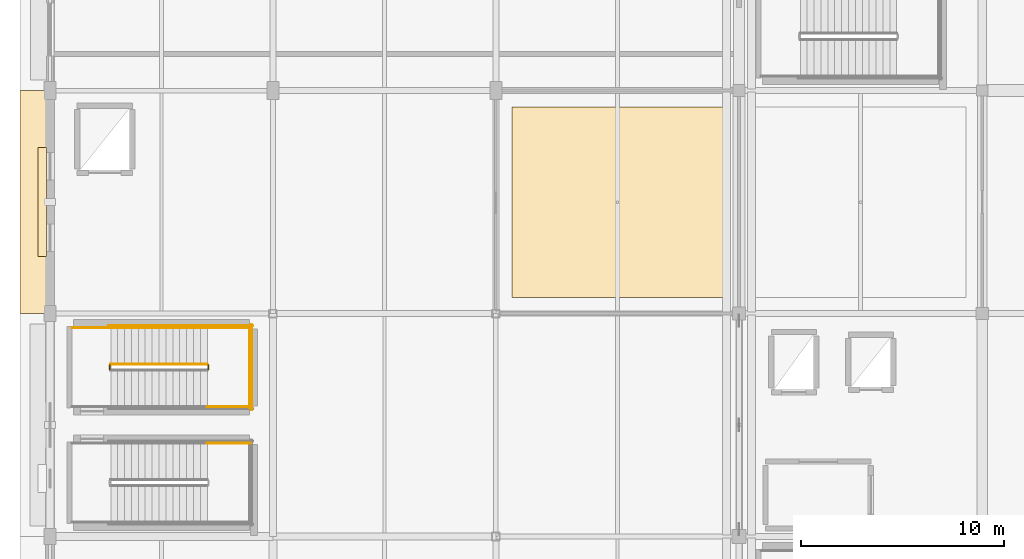
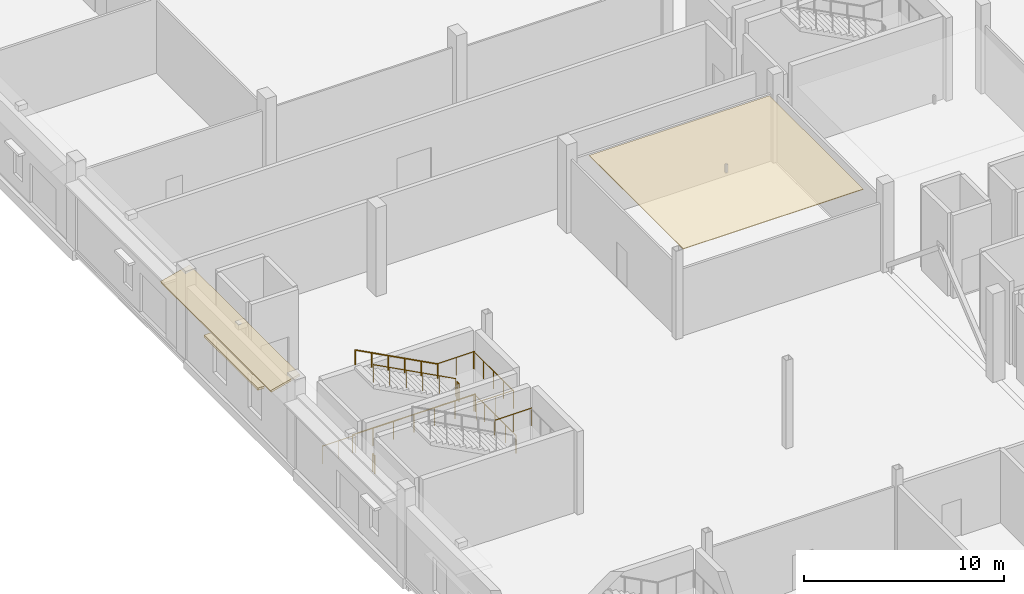
# One storey, part 98 of 120: 11 railings, 3 coverings.
"""IFC4 building model written with IfcOpenShell, lengths in metres."""

from ifc_helpers import new_model, si_unit, direction, frame, origin, origin_2d, place, context, subcontext, project, spatial, polyline, rectangle, circle, outline, extrude, material, layer, layer_set, type_object, element, save


model = new_model("IFC4")

# Units and contexts
model_context = context("Model", 3, precision=1e-05, world=origin(), true_north=direction((0.0, 1.0)))
body_context = subcontext(model_context, "Body", "Model", "MODEL_VIEW")
ifc_project = project(units=[si_unit("LENGTHUNIT", "METRE"), si_unit("AREAUNIT", "SQUARE_METRE"), si_unit("VOLUMEUNIT", "CUBIC_METRE"), si_unit("PLANEANGLEUNIT", "RADIAN"), si_unit("MASSUNIT", "GRAM", prefix="KILO")], contexts=[model_context])

# Site, building, storey
site_placement = place(None, origin())
site = spatial("IfcSite", under=ifc_project, at=site_placement, CompositionType="ELEMENT")
building_placement = place(site_placement, origin())
building = spatial("IfcBuilding", under=site, at=building_placement, Name="Luwafu Chhajja Arena", CompositionType="ELEMENT")
storey_placement = place(building_placement, origin())
storey = spatial("IfcBuildingStorey", under=building, at=storey_placement, Name="L00", CompositionType="ELEMENT", Elevation=0.0)

# Coverings
ifc_material_1 = material(Name="Red laterite sandstone cladding", Category="masonry")
ifc_layer_1 = layer(ifc_material_1, 0.074951171875, Name="Red laterite sandstone cladding")
ifc_layer_set_1 = layer_set([ifc_layer_1], Name="Red laterite sandstone cladding")
covering_type_1 = type_object("IfcCoveringType", Name="Dressed Red-Laterite Sandstone Cladding", PredefinedType="CLADDING", material=ifc_layer_set_1)
covering_1_placement = place(storey_placement, frame((0.199951171875, 33.0, 5.360107421875), z_axis=(-0.242635142566, 0.0, 0.970117615339), x_axis=(0.0, 1.0, 0.0)))
element("IfcCovering", 1, at=covering_1_placement, inside=storey, type_object=covering_type_1, Name="L00 Continuous Sloped Sandstone Chhajja Eave 0005", PredefinedType="CLADDING", context=body_context, shape_type="SweptSolid", body=[
    extrude(outline(polyline([(0.0, 0.0), (11.0, 0.0), (11.0, 1.7316783182390405), (0.0, 1.7316783182390405), (0.0, 0.0)])), origin(), (0.0, 0.0, -1.0), 0.1298828125),
])
covering_2_placement = place(storey_placement, frame((-0.385009765625, 38.5, 2.93017578125), z_axis=(0.0, 0.0, 1.0), x_axis=(0.0, 1.0, 0.0)))
element("IfcCovering", 2, at=covering_2_placement, inside=storey, type_object=covering_type_1, Name="L00 Mughal Sandstone Window Chhajja Hood 0144", PredefinedType="CLADDING", context=body_context, shape_type="SweptSolid", body=[
    extrude(rectangle(XDim=5.3701171875, YDim=0.419921875, at=origin_2d()), origin(), (0.0, 0.0, 1.0), 0.139892578125),
])
ifc_material_2 = material(Name="Acoustic gypsum ceiling board")
ifc_layer_2 = layer(ifc_material_2, 0.0400390625, Name="Acoustic gypsum ceiling board")
ifc_layer_set_2 = layer_set([ifc_layer_2], Name="Acoustic gypsum ceiling board")
covering_type_2 = type_object("IfcCoveringType", Name="Perforated Acoustic Baffle Ceiling", PredefinedType="CEILING", material=ifc_layer_set_2)
covering_3_placement = place(storey_placement, frame((0.0, 0.0, 4.575927734375)))
element("IfcCovering", 3, at=covering_3_placement, inside=storey, type_object=covering_type_2, Name="L00 Acoustic Baffle Ceiling 002", PredefinedType="CEILING", context=body_context, shape_type="SweptSolid", body=[
    extrude(outline(polyline([(22.800048828125, 33.800048828125), (33.199951171875, 33.800048828125), (33.199951171875, 43.199951171875), (22.800048828125, 43.199951171875), (22.800048828125, 33.800048828125)])), origin(), (0.0, 0.0, 1.0), 0.0400390625),
])

# Railings
ifc_material_3 = material(Name="Stainless steel handrail", Category="steel")
railing_type_1 = type_object("IfcRailingType", Name="Stair Pitch Wall Handrail 920", PredefinedType="HANDRAIL", material=ifc_material_3)
railing_1_placement = place(storey_placement, frame((7.760009765625, 32.300048828125, 2.8798828125)))
element("IfcRailing", 4, at=railing_1_placement, inside=storey, type_object=railing_type_1, Name="L00 ST-14 stair handrail 2", PredefinedType="HANDRAIL", context=body_context, shape_type="SweptSolid", body=[
    extrude(circle(Radius=0.02392578125, at=origin_2d()), frame((0.0, 0.0, 0.8759765625), z_axis=(-0.883786813738, 0.0, 0.467889803119), x_axis=(0.0, -1.0, 0.0)), (0.0, 0.0, 1.0), 5.385986328125),
    extrude(circle(Radius=0.02099609375, at=origin_2d()), origin(), (0.0, 0.0, 1.0), 0.851806640625),
    extrude(circle(Radius=0.02099609375, at=origin_2d()), frame((-0.951904296875, 0.0, 0.50390625)), (0.0, 0.0, 1.0), 0.851806640625),
    extrude(circle(Radius=0.02099609375, at=origin_2d()), frame((-1.904052734375, 0.0, 1.008056640625)), (0.0, 0.0, 1.0), 0.851806640625),
    extrude(circle(Radius=0.02099609375, at=origin_2d()), frame((-2.85595703125, 0.0, 1.511962890625)), (0.0, 0.0, 1.0), 0.851806640625),
    extrude(circle(Radius=0.02099609375, at=origin_2d()), frame((-3.80810546875, 0.0, 2.01611328125)), (0.0, 0.0, 1.0), 0.851806640625),
    extrude(circle(Radius=0.02099609375, at=origin_2d()), frame((-4.760009765625, 0.0, 2.52001953125)), (0.0, 0.0, 1.0), 0.851806640625),
])
ifc_material_4 = material(Name="Stainless steel balustrade", Category="steel")
railing_type_2 = type_object("IfcRailingType", Name="Stair and Terrace Guard Balustrade 1100", PredefinedType="BALUSTRADE", material=ifc_material_4)
railing_2_placement = place(storey_placement, frame((7.760009765625, 26.60009765625, 2.699951171875)))
element("IfcRailing", 5, at=railing_2_placement, inside=storey, type_object=railing_type_2, Name="L00 ST-13 stair guard 4", PredefinedType="BALUSTRADE", context=body_context, shape_type="SweptSolid", body=[
    extrude(circle(Radius=0.02392578125, at=origin_2d()), frame((0.0, 0.0, 1.076171875), z_axis=(1.0, 0.0, 0.0), x_axis=(0.0, 1.0, 0.0)), (0.0, 0.0, 1.0), 2.139892578125),
    extrude(circle(Radius=0.02099609375, at=origin_2d()), origin(), (0.0, 0.0, 1.0), 1.052001953125),
    extrude(circle(Radius=0.02099609375, at=origin_2d()), frame((1.06982421875, 0.0, 0.0)), (0.0, 0.0, 1.0), 1.052001953125),
    extrude(circle(Radius=0.02099609375, at=origin_2d()), frame((2.139892578125, 0.0, 0.0)), (0.0, 0.0, 1.0), 1.052001953125),
])
railing_3_placement = place(storey_placement, frame((7.81005859375, 30.25, 2.699951171875)))
element("IfcRailing", 6, at=railing_3_placement, inside=storey, type_object=railing_type_2, Name="L00 ST-14 stair guard 2", PredefinedType="BALUSTRADE", context=body_context, shape_type="SweptSolid", body=[
    extrude(circle(Radius=0.02392578125, at=origin_2d()), frame((0.0, 0.0, 1.076171875), z_axis=(0.0, 1.0, 0.0), x_axis=(-1.0, 0.0, 0.0)), (0.0, 0.0, 1.0), 0.199951171875),
    extrude(circle(Radius=0.02099609375, at=origin_2d()), origin(), (0.0, 0.0, 1.0), 1.052001953125),
    extrude(circle(Radius=0.02099609375, at=origin_2d()), frame((0.0, 0.199951171875, 0.0)), (0.0, 0.0, 1.0), 1.052001953125),
])
for number, where, name in (
    (7, (7.760009765625, 28.39990234375, 2.699951171875), "L00 ST-14 stair guard 3"),
    (8, (7.760009765625, 32.300048828125, 2.699951171875), "L00 ST-14 stair guard 4"),
):
    element("IfcRailing", number, at=place(storey_placement, frame(where)), inside=storey, type_object=railing_type_2, Name=name, PredefinedType="BALUSTRADE", context=body_context, shape_type="SweptSolid", body=[
        extrude(circle(Radius=0.02392578125, at=origin_2d()), frame((0.0, 0.0, 1.076171875), z_axis=(1.0, 0.0, 0.0), x_axis=(0.0, 1.0, 0.0)), (0.0, 0.0, 1.0), 2.139892578125),
        extrude(circle(Radius=0.02099609375, at=origin_2d()), origin(), (0.0, 0.0, 1.0), 1.052001953125),
        extrude(circle(Radius=0.02099609375, at=origin_2d()), frame((1.06982421875, 0.0, 0.0)), (0.0, 0.0, 1.0), 1.052001953125),
        extrude(circle(Radius=0.02099609375, at=origin_2d()), frame((2.139892578125, 0.0, 0.0)), (0.0, 0.0, 1.0), 1.052001953125),
    ])
railing_4_placement = place(storey_placement, frame((9.85009765625, 28.35009765625, 2.699951171875)))
element("IfcRailing", 9, at=railing_4_placement, inside=storey, type_object=railing_type_2, Name="L00 ST-14 stair guard 5", PredefinedType="BALUSTRADE", context=body_context, shape_type="SweptSolid", body=[
    extrude(circle(Radius=0.02392578125, at=origin_2d()), frame((0.0, 0.0, 1.076171875), z_axis=(0.0, 1.0, 0.0), x_axis=(-1.0, 0.0, 0.0)), (0.0, 0.0, 1.0), 4.0),
    extrude(circle(Radius=0.02099609375, at=origin_2d()), origin(), (0.0, 0.0, 1.0), 1.052001953125),
    extrude(circle(Radius=0.02099609375, at=origin_2d()), frame((0.0, 1.0, 0.0)), (0.0, 0.0, 1.0), 1.052001953125),
    extrude(circle(Radius=0.02099609375, at=origin_2d()), frame((0.0, 2.0, 0.0)), (0.0, 0.0, 1.0), 1.052001953125),
    extrude(circle(Radius=0.02099609375, at=origin_2d()), frame((0.0, 3.0, 0.0)), (0.0, 0.0, 1.0), 1.052001953125),
    extrude(circle(Radius=0.02099609375, at=origin_2d()), frame((0.0, 4.0, 0.0)), (0.0, 0.0, 1.0), 1.052001953125),
])
railing_5_placement = place(storey_placement, frame((7.760009765625, 30.5, 2.8798828125)))
element("IfcRailing", 10, at=railing_5_placement, inside=storey, type_object=railing_type_2, Name="L00 ST-14 stair guard 6", PredefinedType="BALUSTRADE", context=body_context, shape_type="SweptSolid", body=[
    extrude(circle(Radius=0.02392578125, at=origin_2d()), frame((0.0, 0.0, 1.076171875), z_axis=(-0.883786813738, 0.0, 0.467889803119), x_axis=(0.0, -1.0, 0.0)), (0.0, 0.0, 1.0), 5.385986328125),
    extrude(circle(Radius=0.02099609375, at=origin_2d()), origin(), (0.0, 0.0, 1.0), 1.052001953125),
    extrude(circle(Radius=0.02099609375, at=origin_2d()), frame((-0.951904296875, 0.0, 0.50390625)), (0.0, 0.0, 1.0), 1.052001953125),
    extrude(circle(Radius=0.02099609375, at=origin_2d()), frame((-1.904052734375, 0.0, 1.008056640625)), (0.0, 0.0, 1.0), 1.052001953125),
    extrude(circle(Radius=0.02099609375, at=origin_2d()), frame((-2.85595703125, 0.0, 1.511962890625)), (0.0, 0.0, 1.0), 1.052001953125),
    extrude(circle(Radius=0.02099609375, at=origin_2d()), frame((-3.80810546875, 0.0, 2.01611328125)), (0.0, 0.0, 1.0), 1.052001953125),
    extrude(circle(Radius=0.02099609375, at=origin_2d()), frame((-4.760009765625, 0.0, 2.52001953125)), (0.0, 0.0, 1.0), 1.052001953125),
])
railing_6_placement = place(storey_placement, frame((2.949951171875, 30.25, 0.0)))
element("IfcRailing", 11, at=railing_6_placement, inside=storey, type_object=railing_type_2, Name="L00 ST-14 stair guard 7", PredefinedType="BALUSTRADE", context=body_context, shape_type="SweptSolid", body=[
    extrude(circle(Radius=0.02392578125, at=origin_2d()), frame((0.0, 0.0, 1.076171875), z_axis=(0.0, 1.0, 0.0), x_axis=(-1.0, 0.0, 0.0)), (0.0, 0.0, 1.0), 0.199951171875),
    extrude(circle(Radius=0.02099609375, at=origin_2d()), origin(), (0.0, 0.0, 1.0), 1.052001953125),
    extrude(circle(Radius=0.02099609375, at=origin_2d()), frame((0.0, 0.199951171875, 0.0)), (0.0, 0.0, 1.0), 1.052001953125),
])
railing_7_placement = place(storey_placement, frame((1.10009765625, 32.300048828125, 0.0)))
element("IfcRailing", 12, at=railing_7_placement, inside=storey, type_object=railing_type_2, Name="L00 ST-14 stair guard 9", PredefinedType="BALUSTRADE", context=body_context, shape_type="SweptSolid", body=[
    extrude(circle(Radius=0.02392578125, at=origin_2d()), frame((0.0, 0.0, 1.076171875), z_axis=(1.0, 0.0, 0.0), x_axis=(0.0, 1.0, 0.0)), (0.0, 0.0, 1.0), 1.89990234375),
    extrude(circle(Radius=0.02099609375, at=origin_2d()), origin(), (0.0, 0.0, 1.0), 1.052001953125),
    extrude(circle(Radius=0.02099609375, at=origin_2d()), frame((0.949951171875, 0.0, 0.0)), (0.0, 0.0, 1.0), 1.052001953125),
    extrude(circle(Radius=0.02099609375, at=origin_2d()), frame((1.89990234375, 0.0, 0.0)), (0.0, 0.0, 1.0), 1.052001953125),
])
railing_8_placement = place(storey_placement, frame((2.89990234375, 32.39990234375, 0.0)))
element("IfcRailing", 13, at=railing_8_placement, inside=storey, type_object=railing_type_2, Name="L00 ST-14 stair guard 11", PredefinedType="BALUSTRADE", context=body_context, shape_type="SweptSolid", body=[
    extrude(circle(Radius=0.02392578125, at=origin_2d()), frame((0.0, 0.0, 1.076171875), z_axis=(1.0, 0.0, 0.0), x_axis=(0.0, 1.0, 0.0)), (0.0, 0.0, 1.0), 7.10009765625),
    extrude(circle(Radius=0.02099609375, at=origin_2d()), origin(), (0.0, 0.0, 1.0), 1.052001953125),
    extrude(circle(Radius=0.02099609375, at=origin_2d()), frame((1.183349609375, 0.0, 0.0)), (0.0, 0.0, 1.0), 1.052001953125),
    extrude(circle(Radius=0.02099609375, at=origin_2d()), frame((2.36669921875, 0.0, 0.0)), (0.0, 0.0, 1.0), 1.052001953125),
    extrude(circle(Radius=0.02099609375, at=origin_2d()), frame((3.550048828125, 0.0, 0.0)), (0.0, 0.0, 1.0), 1.052001953125),
    extrude(circle(Radius=0.02099609375, at=origin_2d()), frame((4.7333984375, 0.0, 0.0)), (0.0, 0.0, 1.0), 1.052001953125),
    extrude(circle(Radius=0.02099609375, at=origin_2d()), frame((5.916748046875, 0.0, 0.0)), (0.0, 0.0, 1.0), 1.052001953125),
    extrude(circle(Radius=0.02099609375, at=origin_2d()), frame((7.10009765625, 0.0, 0.0)), (0.0, 0.0, 1.0), 1.052001953125),
])
railing_9_placement = place(storey_placement, frame((9.949951171875, 28.25, 0.0)))
element("IfcRailing", 14, at=railing_9_placement, inside=storey, type_object=railing_type_2, Name="L00 ST-14 stair guard 12", PredefinedType="BALUSTRADE", context=body_context, shape_type="SweptSolid", body=[
    extrude(circle(Radius=0.02392578125, at=origin_2d()), frame((0.0, 0.0, 1.076171875), z_axis=(0.0, 1.0, 0.0), x_axis=(-1.0, 0.0, 0.0)), (0.0, 0.0, 1.0), 4.199951171875),
    extrude(circle(Radius=0.02099609375, at=origin_2d()), origin(), (0.0, 0.0, 1.0), 1.052001953125),
    extrude(circle(Radius=0.02099609375, at=origin_2d()), frame((0.0, 1.050048828125, 0.0)), (0.0, 0.0, 1.0), 1.052001953125),
    extrude(circle(Radius=0.02099609375, at=origin_2d()), frame((0.0, 2.10009765625, 0.0)), (0.0, 0.0, 1.0), 1.052001953125),
    extrude(circle(Radius=0.02099609375, at=origin_2d()), frame((0.0, 3.14990234375, 0.0)), (0.0, 0.0, 1.0), 1.052001953125),
    extrude(circle(Radius=0.02099609375, at=origin_2d()), frame((0.0, 4.199951171875, 0.0)), (0.0, 0.0, 1.0), 1.052001953125),
])

save(model, "model.ifc")
